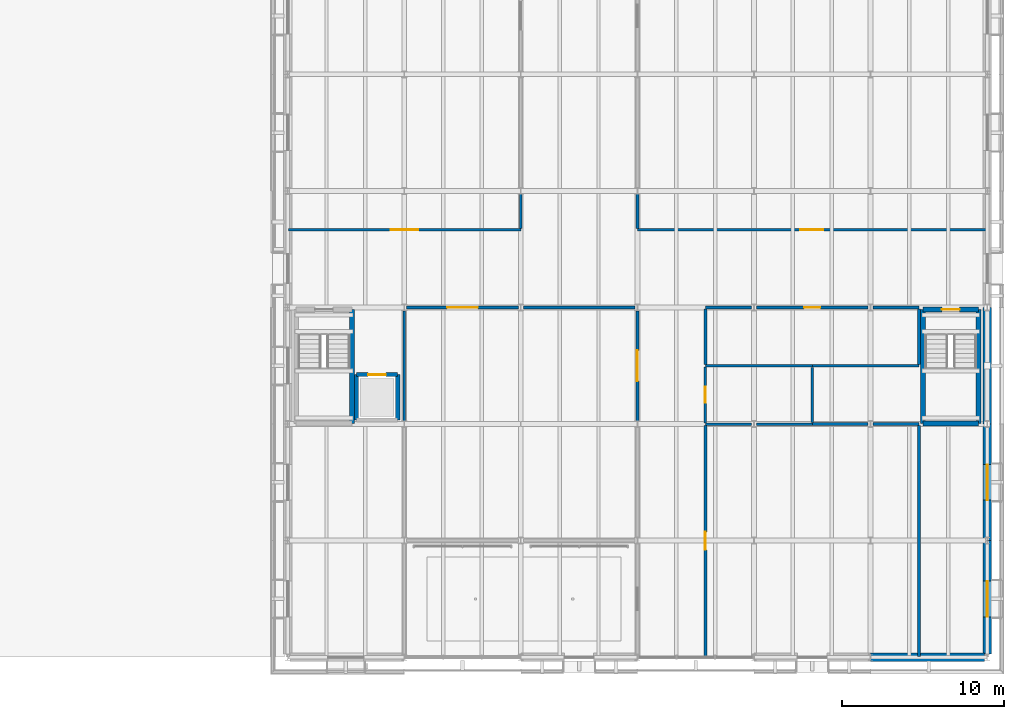
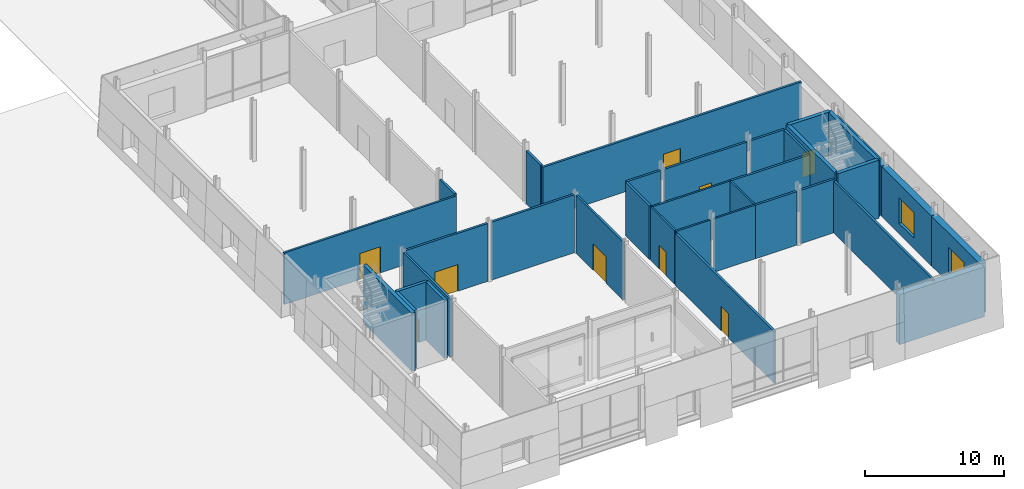
# One storey, part 79 of 120: 35 walls, 9 doors, 2 windows, 11 openings.
"""IFC4 building model written with IfcOpenShell, lengths in metres."""

from ifc_helpers import new_model, si_unit, direction, frame, frame_2d, origin, place, context, subcontext, project, spatial, rectangle, extrude, material, layer, layer_set, type_object, element, fill, save


model = new_model("IFC4")

# Units and contexts
model_context = context("Model", 3, precision=1e-05, world=origin(), true_north=direction((0.0, 1.0)))
body_context = subcontext(model_context, "Body", "Model", "MODEL_VIEW")
ifc_project = project(units=[si_unit("LENGTHUNIT", "METRE"), si_unit("AREAUNIT", "SQUARE_METRE"), si_unit("VOLUMEUNIT", "CUBIC_METRE"), si_unit("PLANEANGLEUNIT", "RADIAN"), si_unit("MASSUNIT", "GRAM", prefix="KILO")], contexts=[model_context])

# Site, building, storey
site_placement = place(None, origin())
site = spatial("IfcSite", under=ifc_project, at=site_placement, CompositionType="ELEMENT")
building_placement = place(site_placement, origin())
building = spatial("IfcBuilding", under=site, at=building_placement, Name="Narikvali Park Central Library", CompositionType="ELEMENT")
storey_placement = place(building_placement, origin())
storey = spatial("IfcBuildingStorey", under=building, at=storey_placement, Name="L00", CompositionType="ELEMENT", Elevation=0.0)

# Wall, opening, door
ifc_material_1 = material(Name="Acoustic Laminated Glass and Steel Studs", Category="steel")
ifc_layer_1 = layer(ifc_material_1, 0.169921875, Name="Acoustic Laminated Glass and Steel Studs")
ifc_layer_set_1 = layer_set([ifc_layer_1], Name="Acoustic Laminated Glass and Steel Studs")
wall_type_1 = type_object("IfcWallType", Name="Maker Space Glazed Acoustic Partition 170", PredefinedType="PARTITIONING", material=ifc_layer_set_1)
wall_1_placement = place(storey_placement, frame((122.455078125, 26.39990234375, 0.0), z_axis=(0.0, 0.0, 1.0), x_axis=(1.0, 0.0, 0.0)))
wall_1 = element("IfcWall", 1, at=wall_1_placement, inside=storey, type_object=wall_type_1, Name="Public Maker Space Fabrication Workshop Partition S", PredefinedType="PARTITIONING", context=body_context, shape_type="SweptSolid", body=[
    extrude(rectangle(XDim=14.344970703125, YDim=0.169921875, at=frame_2d((7.17236328125, 0.0))), origin(), (0.0, 0.0, 1.0), 4.554931640625),
])
opening_1_placement = place(wall_1_placement, frame((6.322509765625, 0.0, 0.0)))
opening_1 = element("IfcOpeningElement", 2, at=opening_1_placement, cuts=wall_1, Name="Opening ID-0152", PredefinedType="OPENING", context=body_context, shape_type="SweptSolid", body=[
    extrude(rectangle(XDim=1.699951171875, YDim=2.300048828125, at=frame_2d((0.85009765625, 1.14990234375))), frame((0.0, 0.096923828125, 0.0), z_axis=(0.0, -1.0, 0.0), x_axis=(1.0, 0.0, 0.0)), (0.0, 0.0, 1.0), 0.19384765625),
])
ifc_material_2 = material(Name="Anodised Aluminium and Laminated Glass", Category="aluminium")
door_type_1 = type_object("IfcDoorType", Name="Maker Workshop Double Door 1700x2300", OperationType="DOUBLE_DOOR_SINGLE_SWING", PredefinedType="DOOR", material=ifc_material_2)
door_1_placement = place(opening_1_placement, origin())
door_1 = element("IfcDoor", 3, at=door_1_placement, inside=storey, type_object=door_type_1, Name="Public Maker Space Fabrication Workshop Door ID-0152", OperationType="DOUBLE_DOOR_SINGLE_SWING", OverallHeight=2.300048828125, OverallWidth=1.699951171875, PredefinedType="DOOR", context=body_context, shape_type="SweptSolid", body=[
    extrude(rectangle(XDim=1.699951171875, YDim=2.300048828125, at=frame_2d((0.85009765625, 1.14990234375))), frame((0.0, 0.02490234375, 0.0), z_axis=(0.0, -1.0, 0.0), x_axis=(1.0, 0.0, 0.0)), (0.0, 0.0, 1.0), 0.050048828125),
])
fill(opening_1, door_1)

# Walls
wall_2_placement = place(storey_placement, frame((136.800048828125, 26.487060546875, 0.0), z_axis=(0.0, 0.0, 1.0), x_axis=(0.0, 1.0, 0.0)))
element("IfcWall", 4, at=wall_2_placement, inside=storey, type_object=wall_type_1, Name="Public Maker Space Fabrication Workshop Partition E", PredefinedType="PARTITIONING", context=body_context, shape_type="SweptSolid", body=[
    extrude(rectangle(XDim=2.10888671875, YDim=0.169921875, at=frame_2d((1.054443359375, 0.0))), origin(), (0.0, 0.0, 1.0), 4.6650390625),
])
ifc_material_3 = material(Name="Moisture-Resistant Cement Board on Steel Studs", Category="steel")
ifc_layer_2 = layer(ifc_material_3, 0.14990234375, Name="Moisture-Resistant Cement Board on Steel Studs")
ifc_layer_set_2 = layer_set([ifc_layer_2], Name="Moisture-Resistant Cement Board on Steel Studs")
wall_type_2 = type_object("IfcWallType", Name="Moisture-Resistant WC Partition 150", PredefinedType="PARTITIONING", material=ifc_layer_set_2)
wall_3_placement = place(storey_placement, frame((148.199951171875, 14.39990234375, 0.0), z_axis=(0.0, 0.0, 1.0), x_axis=(1.0, 0.0, 0.0)))
element("IfcWall", 5, at=wall_3_placement, inside=storey, type_object=wall_type_2, Name="Park Wing Accessible WC and Restrooms L00 Partition S", PredefinedType="PARTITIONING", context=body_context, shape_type="SweptSolid", body=[
    extrude(rectangle(XDim=2.845947265625, YDim=0.14990234375, at=frame_2d((1.4228515625, 0.0))), origin(), (0.0, 0.0, 1.0), 4.715087890625),
])
wall_4_placement = place(storey_placement, frame((151.35400390625, 14.39990234375, 0.0), z_axis=(0.0, 0.0, 1.0), x_axis=(1.0, 0.0, 0.0)))
element("IfcWall", 6, at=wall_4_placement, inside=storey, type_object=wall_type_2, Name="Park Wing Accessible WC and Restrooms L00 Partition S", PredefinedType="PARTITIONING", context=body_context, shape_type="SweptSolid", body=[
    extrude(rectangle(XDim=3.446044921875, YDim=0.14990234375, at=frame_2d((1.72314453125, 0.0))), origin(), (0.0, 0.0, 1.0), 4.715087890625),
])
wall_5_placement = place(storey_placement, frame((148.199951171875, 18.0, 0.0), z_axis=(0.0, 0.0, 1.0), x_axis=(1.0, 0.0, 0.0)))
element("IfcWall", 7, at=wall_5_placement, inside=storey, type_object=wall_type_2, Name="Park Wing Accessible WC and Restrooms L00 Partition N", PredefinedType="PARTITIONING", context=body_context, shape_type="SweptSolid", body=[
    extrude(rectangle(XDim=6.60009765625, YDim=0.14990234375, at=frame_2d((3.300048828125, 0.0))), origin(), (0.0, 0.0, 1.0), 4.6650390625),
])

# Wall, opening, door
wall_6_placement = place(storey_placement, frame((148.199951171875, 14.47705078125, 0.0), z_axis=(0.0, 0.0, 1.0), x_axis=(0.0, 1.0, 0.0)))
wall_6 = element("IfcWall", 8, at=wall_6_placement, inside=storey, type_object=wall_type_2, Name="Park Wing Accessible WC and Restrooms L00 Partition W", PredefinedType="PARTITIONING", context=body_context, shape_type="SweptSolid", body=[
    extrude(rectangle(XDim=3.446044921875, YDim=0.14990234375, at=frame_2d((1.72314453125, 0.0))), origin(), (0.0, 0.0, 1.0), 4.715087890625),
])
opening_2_placement = place(wall_6_placement, frame((1.23291015625, 0.0, 0.0)))
opening_2 = element("IfcOpeningElement", 9, at=opening_2_placement, cuts=wall_6, Name="Opening ID-0024", PredefinedType="OPENING", context=body_context, shape_type="SweptSolid", body=[
    extrude(rectangle(XDim=0.97998046875, YDim=2.10009765625, at=frame_2d((0.489990234375, 1.050048828125))), frame((0.0, 0.0869140625, 0.0), z_axis=(0.0, -1.0, 0.0), x_axis=(1.0, 0.0, 0.0)), (0.0, 0.0, 1.0), 0.173828125),
])
ifc_material_4 = material(Name="Laminate Faced Hardwood Core", Category="wood")
door_type_2 = type_object("IfcDoorType", Name="Accessible WC Outward-Opening Door 980x2100", OperationType="SINGLE_SWING_RIGHT", PredefinedType="DOOR", material=ifc_material_4)
door_2_placement = place(opening_2_placement, origin())
door_2 = element("IfcDoor", 10, at=door_2_placement, inside=storey, type_object=door_type_2, Name="Park Wing Accessible WC and Restrooms L00 Door ID-0024", OperationType="SINGLE_SWING_RIGHT", OverallHeight=2.10009765625, OverallWidth=0.97998046875, PredefinedType="DOOR", context=body_context, shape_type="SweptSolid", body=[
    extrude(rectangle(XDim=0.97998046875, YDim=2.10009765625, at=frame_2d((0.489990234375, 1.050048828125))), frame((0.0, 0.02490234375, 0.0), z_axis=(0.0, -1.0, 0.0), x_axis=(1.0, 0.0, 0.0)), (0.0, 0.0, 1.0), 0.050048828125),
])
fill(opening_2, door_2)

# Walls
wall_7_placement = place(storey_placement, frame((154.800048828125, 14.491943359375, 0.0), z_axis=(0.0, 0.0, 1.0), x_axis=(0.0, 1.0, 0.0)))
element("IfcWall", 11, at=wall_7_placement, inside=storey, type_object=wall_type_2, Name="Park Wing Accessible WC and Restrooms L00 Partition E", PredefinedType="PARTITIONING", context=body_context, shape_type="SweptSolid", body=[
    extrude(rectangle(XDim=3.416015625, YDim=0.14990234375, at=frame_2d((1.7080078125, 0.0))), origin(), (0.0, 0.0, 1.0), 4.715087890625),
])
ifc_material_5 = material(Name="Acoustic Gypsum on Steel Studs", Category="steel")
ifc_layer_3 = layer(ifc_material_5, 0.179931640625, Name="Acoustic Gypsum on Steel Studs")
ifc_layer_set_3 = layer_set([ifc_layer_3], Name="Acoustic Gypsum on Steel Studs")
wall_type_3 = type_object("IfcWallType", Name="Reading Room Acoustic Partition 180", PredefinedType="PARTITIONING", material=ifc_layer_set_3)
wall_8_placement = place(storey_placement, frame((154.802001953125, 18.0, 0.0), z_axis=(0.0, 0.0, 1.0), x_axis=(1.0, 0.0, 0.0)))
element("IfcWall", 12, at=wall_8_placement, inside=storey, type_object=wall_type_3, Name="Civic Seminar Chair and AV Store Partition S", PredefinedType="PARTITIONING", context=body_context, shape_type="SweptSolid", body=[
    extrude(rectangle(XDim=6.597900390625, YDim=0.179931640625, at=frame_2d((3.298828125, 0.0))), origin(), (0.0, 0.0, 1.0), 4.6650390625),
])
wall_9_placement = place(storey_placement, frame((148.199951171875, 21.60009765625, 0.0), z_axis=(0.0, 0.0, 1.0), x_axis=(1.0, 0.0, 0.0)))
element("IfcWall", 13, at=wall_9_placement, inside=storey, type_object=wall_type_3, Name="Civic Seminar Chair and AV Store Partition N", PredefinedType="PARTITIONING", context=body_context, shape_type="SweptSolid", body=[
    extrude(rectangle(XDim=2.845947265625, YDim=0.179931640625, at=frame_2d((1.4228515625, 0.0))), origin(), (0.0, 0.0, 1.0), 4.715087890625),
])

# Wall, opening, door
wall_10_placement = place(storey_placement, frame((151.35400390625, 21.60009765625, 0.0), z_axis=(0.0, 0.0, 1.0), x_axis=(1.0, 0.0, 0.0)))
wall_10 = element("IfcWall", 14, at=wall_10_placement, inside=storey, type_object=wall_type_3, Name="Civic Seminar Chair and AV Store Partition N", PredefinedType="PARTITIONING", context=body_context, shape_type="SweptSolid", body=[
    extrude(rectangle(XDim=6.89208984375, YDim=0.179931640625, at=frame_2d((3.446044921875, 0.0))), origin(), (0.0, 0.0, 1.0), 4.715087890625),
])
opening_3_placement = place(wall_10_placement, frame((2.946044921875, 0.0, 0.0)))
opening_3 = element("IfcOpeningElement", 15, at=opening_3_placement, cuts=wall_10, Name="Opening ID-0145", PredefinedType="OPENING", context=body_context, shape_type="SweptSolid", body=[
    extrude(rectangle(XDim=1.0, YDim=2.14990234375, at=frame_2d((0.5, 1.074951171875))), frame((0.0, 0.10205078125, 0.0), z_axis=(0.0, -1.0, 0.0), x_axis=(1.0, 0.0, 0.0)), (0.0, 0.0, 1.0), 0.203857421875),
])
ifc_material_6 = material(Name="Solid Caucasian Oak")
door_type_3 = type_object("IfcDoorType", Name="Study Room Single Oak Door 1000x2150", OperationType="SINGLE_SWING_LEFT", PredefinedType="DOOR", material=ifc_material_6)
door_3_placement = place(opening_3_placement, frame((1.0, 0.0, 0.0), z_axis=(0.0, 0.0, 1.0), x_axis=(-1.0, 0.0, 0.0)))
door_3 = element("IfcDoor", 16, at=door_3_placement, inside=storey, type_object=door_type_3, Name="Civic Seminar Chair and AV Store Door ID-0145", OperationType="SINGLE_SWING_LEFT", OverallHeight=2.14990234375, OverallWidth=1.0, PredefinedType="DOOR", context=body_context, shape_type="SweptSolid", body=[
    extrude(rectangle(XDim=1.0, YDim=2.14990234375, at=frame_2d((0.5, 1.074951171875))), frame((0.0, 0.02490234375, 0.0), z_axis=(0.0, -1.0, 0.0), x_axis=(1.0, 0.0, 0.0)), (0.0, 0.0, 1.0), 0.050048828125),
])
fill(opening_3, door_3)

# Wall
wall_11_placement = place(storey_placement, frame((158.553955078125, 21.60009765625, 0.0), z_axis=(0.0, 0.0, 1.0), x_axis=(1.0, 0.0, 0.0)))
element("IfcWall", 17, at=wall_11_placement, inside=storey, type_object=wall_type_3, Name="Civic Seminar Chair and AV Store Partition N", PredefinedType="PARTITIONING", context=body_context, shape_type="SweptSolid", body=[
    extrude(rectangle(XDim=2.845947265625, YDim=0.179931640625, at=frame_2d((1.4228515625, 0.0))), origin(), (0.0, 0.0, 1.0), 4.715087890625),
])

# Wall, opening, door
wall_12_placement = place(storey_placement, frame((144.0, 26.39990234375, 0.0), z_axis=(0.0, 0.0, 1.0), x_axis=(1.0, 0.0, 0.0)))
wall_12 = element("IfcWall", 18, at=wall_12_placement, inside=storey, type_object=wall_type_3, Name="Civic Community Meeting Room A Partition S", PredefinedType="PARTITIONING", context=body_context, shape_type="SweptSolid", body=[
    extrude(rectangle(XDim=21.544921875, YDim=0.179931640625, at=frame_2d((10.7724609375, 0.0))), origin(), (0.0, 0.0, 1.0), 4.554931640625),
])
opening_4_placement = place(wall_12_placement, frame((10.072509765625, 0.0, 0.0)))
opening_4 = element("IfcOpeningElement", 19, at=opening_4_placement, cuts=wall_12, Name="Opening ID-0147", PredefinedType="OPENING", context=body_context, shape_type="SweptSolid", body=[
    extrude(rectangle(XDim=1.39990234375, YDim=2.199951171875, at=frame_2d((0.699951171875, 1.10009765625))), frame((0.0, 0.10205078125, 0.0), z_axis=(0.0, -1.0, 0.0), x_axis=(1.0, 0.0, 0.0)), (0.0, 0.0, 1.0), 0.203857421875),
])
ifc_material_7 = material(Name="Caucasian Oak and Acoustic Glass", Category="glass")
door_type_4 = type_object("IfcDoorType", Name="Community Room Glazed Oak Door 1400x2200", OperationType="DOUBLE_DOOR_SINGLE_SWING", PredefinedType="DOOR", material=ifc_material_7)
door_4_placement = place(opening_4_placement, origin())
door_4 = element("IfcDoor", 20, at=door_4_placement, inside=storey, type_object=door_type_4, Name="Civic Community Meeting Room A Door ID-0147", OperationType="DOUBLE_DOOR_SINGLE_SWING", OverallHeight=2.199951171875, OverallWidth=1.39990234375, PredefinedType="DOOR", context=body_context, shape_type="SweptSolid", body=[
    extrude(rectangle(XDim=1.39990234375, YDim=2.199951171875, at=frame_2d((0.699951171875, 1.10009765625))), frame((0.0, 0.02490234375, 0.0), z_axis=(0.0, -1.0, 0.0), x_axis=(1.0, 0.0, 0.0)), (0.0, 0.0, 1.0), 0.050048828125),
])
fill(opening_4, door_4)

# Walls
wall_13_placement = place(storey_placement, frame((154.802001953125, 14.39990234375, 0.0), z_axis=(0.0, 0.0, 1.0), x_axis=(1.0, 0.0, 0.0)))
element("IfcWall", 21, at=wall_13_placement, inside=storey, type_object=wall_type_3, Name="Cafe Servery and Kitchen Partition N", PredefinedType="PARTITIONING", context=body_context, shape_type="SweptSolid", body=[
    extrude(rectangle(XDim=3.444091796875, YDim=0.179931640625, at=frame_2d((1.72216796875, 0.0))), origin(), (0.0, 0.0, 1.0), 4.715087890625),
])
wall_14_placement = place(storey_placement, frame((158.553955078125, 14.39990234375, 0.0), z_axis=(0.0, 0.0, 1.0), x_axis=(1.0, 0.0, 0.0)))
element("IfcWall", 22, at=wall_14_placement, inside=storey, type_object=wall_type_3, Name="Cafe Servery and Kitchen Partition N", PredefinedType="PARTITIONING", context=body_context, shape_type="SweptSolid", body=[
    extrude(rectangle(XDim=2.845947265625, YDim=0.179931640625, at=frame_2d((1.4228515625, 0.0))), origin(), (0.0, 0.0, 1.0), 4.715087890625),
])

# Wall, opening, door
wall_15_placement = place(storey_placement, frame((129.75390625, 21.60009765625, 0.0), z_axis=(0.0, 0.0, 1.0), x_axis=(1.0, 0.0, 0.0)))
wall_15 = element("IfcWall", 23, at=wall_15_placement, inside=storey, type_object=wall_type_3, Name="Civic Lecture Hall Partition N", PredefinedType="PARTITIONING", context=body_context, shape_type="SweptSolid", body=[
    extrude(rectangle(XDim=6.89208984375, YDim=0.179931640625, at=frame_2d((3.446044921875, 0.0))), origin(), (0.0, 0.0, 1.0), 5.10498046875),
])
opening_5_placement = place(wall_15_placement, frame((2.49609375, 0.0, 0.0)))
opening_5 = element("IfcOpeningElement", 24, at=opening_5_placement, cuts=wall_15, Name="Opening ID-0150", PredefinedType="OPENING", context=body_context, shape_type="SweptSolid", body=[
    extrude(rectangle(XDim=1.89990234375, YDim=2.35009765625, at=frame_2d((0.949951171875, 1.175048828125))), frame((0.0, 0.10205078125, 0.0), z_axis=(0.0, -1.0, 0.0), x_axis=(1.0, 0.0, 0.0)), (0.0, 0.0, 1.0), 0.203857421875),
])
ifc_material_8 = material(Name="Solid Caucasian Oak Acoustic Leaf")
door_type_5 = type_object("IfcDoorType", Name="Lecture Hall Double Acoustic Door 1900x2350", OperationType="DOUBLE_DOOR_SINGLE_SWING", PredefinedType="DOOR", material=ifc_material_8)
door_5_placement = place(opening_5_placement, origin())
door_5 = element("IfcDoor", 25, at=door_5_placement, inside=storey, type_object=door_type_5, Name="Civic Lecture Hall Door ID-0150", OperationType="DOUBLE_DOOR_SINGLE_SWING", OverallHeight=2.35009765625, OverallWidth=1.89990234375, PredefinedType="DOOR", context=body_context, shape_type="SweptSolid", body=[
    extrude(rectangle(XDim=1.89990234375, YDim=2.35009765625, at=frame_2d((0.949951171875, 1.175048828125))), frame((0.0, 0.02490234375, 0.0), z_axis=(0.0, -1.0, 0.0), x_axis=(1.0, 0.0, 0.0)), (0.0, 0.0, 1.0), 0.050048828125),
])
fill(opening_5, door_5)

# Walls
wall_16_placement = place(storey_placement, frame((136.9541015625, 21.60009765625, 0.0), z_axis=(0.0, 0.0, 1.0), x_axis=(1.0, 0.0, 0.0)))
element("IfcWall", 26, at=wall_16_placement, inside=storey, type_object=wall_type_3, Name="Civic Lecture Hall Partition N", PredefinedType="PARTITIONING", context=body_context, shape_type="SweptSolid", body=[
    extrude(rectangle(XDim=6.891845703125, YDim=0.179931640625, at=frame_2d((3.44580078125, 0.0))), origin(), (0.0, 0.0, 1.0), 5.10498046875),
])
wall_17_placement = place(storey_placement, frame((148.199951171875, 18.076904296875, 0.0), z_axis=(0.0, 0.0, 1.0), x_axis=(0.0, 1.0, 0.0)))
element("IfcWall", 27, at=wall_17_placement, inside=storey, type_object=wall_type_3, Name="Civic Seminar Chair and AV Store Partition W", PredefinedType="PARTITIONING", context=body_context, shape_type="SweptSolid", body=[
    extrude(rectangle(XDim=3.43115234375, YDim=0.179931640625, at=frame_2d((1.715576171875, 0.0))), origin(), (0.0, 0.0, 1.0), 4.715087890625),
])
wall_18_placement = place(storey_placement, frame((161.39990234375, 18.092041015625, 0.0), z_axis=(0.0, 0.0, 1.0), x_axis=(0.0, 1.0, 0.0)))
element("IfcWall", 28, at=wall_18_placement, inside=storey, type_object=wall_type_3, Name="Civic Seminar Chair and AV Store Partition E", PredefinedType="PARTITIONING", context=body_context, shape_type="SweptSolid", body=[
    extrude(rectangle(XDim=3.416015625, YDim=0.179931640625, at=frame_2d((1.7080078125, 0.0))), origin(), (0.0, 0.0, 1.0), 4.715087890625),
])
wall_19_placement = place(storey_placement, frame((144.0, 26.491943359375, 0.0), z_axis=(0.0, 0.0, 1.0), x_axis=(0.0, 1.0, 0.0)))
element("IfcWall", 29, at=wall_19_placement, inside=storey, type_object=wall_type_3, Name="Civic Community Meeting Room A Partition W", PredefinedType="PARTITIONING", context=body_context, shape_type="SweptSolid", body=[
    extrude(rectangle(XDim=2.10400390625, YDim=0.179931640625, at=frame_2d((1.052001953125, 0.0))), origin(), (0.0, 0.0, 1.0), 4.6650390625),
])

# Wall, opening, door
wall_20_placement = place(storey_placement, frame((148.199951171875, 0.054931640625, 0.0), z_axis=(0.0, 0.0, 1.0), x_axis=(0.0, 1.0, 0.0)))
wall_20 = element("IfcWall", 30, at=wall_20_placement, inside=storey, type_object=wall_type_3, Name="Cafe Servery and Kitchen Partition W", PredefinedType="PARTITIONING", context=body_context, shape_type="SweptSolid", body=[
    extrude(rectangle(XDim=14.26806640625, YDim=0.179931640625, at=frame_2d((7.134033203125, 0.0))), origin(), (0.0, 0.0, 1.0), 4.554931640625),
])
opening_6_placement = place(wall_20_placement, frame((6.573974609375, 0.0, 0.0)))
opening_6 = element("IfcOpeningElement", 31, at=opening_6_placement, cuts=wall_20, Name="Opening ID-0149", PredefinedType="OPENING", context=body_context, shape_type="SweptSolid", body=[
    extrude(rectangle(XDim=1.1201171875, YDim=2.14990234375, at=frame_2d((0.56005859375, 1.074951171875))), frame((0.0, 0.10205078125, 0.0), z_axis=(0.0, -1.0, 0.0), x_axis=(1.0, 0.0, 0.0)), (0.0, 0.0, 1.0), 0.203857421875),
])
ifc_material_9 = material(Name="Brushed Stainless Steel Faced Fire Leaf", Category="steel")
door_type_6 = type_object("IfcDoorType", Name="Cafe Kitchen Service Fire Door 1120x2150", OperationType="SINGLE_SWING_LEFT", PredefinedType="DOOR", material=ifc_material_9)
door_6_placement = place(opening_6_placement, frame((1.1201171875, 0.0, 0.0), z_axis=(0.0, 0.0, 1.0), x_axis=(-1.0, 0.0, 0.0)))
door_6 = element("IfcDoor", 32, at=door_6_placement, inside=storey, type_object=door_type_6, Name="Cafe Servery and Kitchen Door ID-0149", OperationType="SINGLE_SWING_LEFT", OverallHeight=2.14990234375, OverallWidth=1.1201171875, PredefinedType="DOOR", context=body_context, shape_type="SweptSolid", body=[
    extrude(rectangle(XDim=1.1201171875, YDim=2.14990234375, at=frame_2d((0.56005859375, 1.074951171875))), frame((0.0, 0.02490234375, 0.0), z_axis=(0.0, -1.0, 0.0), x_axis=(1.0, 0.0, 0.0)), (0.0, 0.0, 1.0), 0.050048828125),
])
fill(opening_6, door_6)

# Walls
wall_21_placement = place(storey_placement, frame((161.39990234375, 0.054931640625, 0.0), z_axis=(0.0, 0.0, 1.0), x_axis=(0.0, 1.0, 0.0)))
element("IfcWall", 33, at=wall_21_placement, inside=storey, type_object=wall_type_3, Name="Cafe Servery and Kitchen Partition E", PredefinedType="PARTITIONING", context=body_context, shape_type="SweptSolid", body=[
    extrude(rectangle(XDim=14.253173828125, YDim=0.179931640625, at=frame_2d((7.12646484375, 0.0))), origin(), (0.0, 0.0, 1.0), 4.554931640625),
])
wall_22_placement = place(storey_placement, frame((129.60009765625, 14.60400390625, 0.0), z_axis=(0.0, 0.0, 1.0), x_axis=(0.0, 1.0, 0.0)))
element("IfcWall", 34, at=wall_22_placement, inside=storey, type_object=wall_type_3, Name="Civic Lecture Hall Partition W", PredefinedType="PARTITIONING", context=body_context, shape_type="SweptSolid", body=[
    extrude(rectangle(XDim=6.7919921875, YDim=0.179931640625, at=frame_2d((3.39599609375, 0.0))), origin(), (0.0, 0.0, 1.0), 5.10498046875),
])

# Wall, opening, door
wall_23_placement = place(storey_placement, frame((144.0, 14.60400390625, 0.0), z_axis=(0.0, 0.0, 1.0), x_axis=(0.0, 1.0, 0.0)))
wall_23 = element("IfcWall", 35, at=wall_23_placement, inside=storey, type_object=wall_type_3, Name="Civic Lecture Hall Partition E", PredefinedType="PARTITIONING", context=body_context, shape_type="SweptSolid", body=[
    extrude(rectangle(XDim=6.7919921875, YDim=0.179931640625, at=frame_2d((3.39599609375, 0.0))), origin(), (0.0, 0.0, 1.0), 5.10498046875),
])
opening_7_placement = place(wall_23_placement, frame((2.446044921875, 0.0, 0.0)))
opening_7 = element("IfcOpeningElement", 36, at=opening_7_placement, cuts=wall_23, Name="Opening ID-0151", PredefinedType="OPENING", context=body_context, shape_type="SweptSolid", body=[
    extrude(rectangle(XDim=1.89990234375, YDim=2.35009765625, at=frame_2d((0.949951171875, 1.175048828125))), frame((0.0, 0.10205078125, 0.0), z_axis=(0.0, -1.0, 0.0), x_axis=(1.0, 0.0, 0.0)), (0.0, 0.0, 1.0), 0.203857421875),
])
door_7_placement = place(opening_7_placement, frame((1.89990234375, 0.0, 0.0), z_axis=(0.0, 0.0, 1.0), x_axis=(-1.0, 0.0, 0.0)))
door_7 = element("IfcDoor", 37, at=door_7_placement, inside=storey, type_object=door_type_5, Name="Civic Lecture Hall Door ID-0151", OperationType="DOUBLE_DOOR_SINGLE_SWING", OverallHeight=2.35009765625, OverallWidth=1.89990234375, PredefinedType="DOOR", context=body_context, shape_type="SweptSolid", body=[
    extrude(rectangle(XDim=1.89990234375, YDim=2.35009765625, at=frame_2d((0.949951171875, 1.175048828125))), frame((0.0, 0.02490234375, 0.0), z_axis=(0.0, -1.0, 0.0), x_axis=(1.0, 0.0, 0.0)), (0.0, 0.0, 1.0), 0.050048828125),
])
fill(opening_7, door_7)

# Wall
ifc_material_10 = material(Name="Concrete C40/50", Category="concrete")
ifc_layer_4 = layer(ifc_material_10, 0.25, Name="Concrete C40/50")
ifc_layer_set_4 = layer_set([ifc_layer_4], Name="Concrete C40/50")
wall_type_4 = type_object("IfcWallType", Name="Reinforced Concrete Lift Shaft Wall 250", PredefinedType="SHEAR", material=ifc_layer_set_4)
wall_24_placement = place(storey_placement, frame((129.199951171875, 14.64990234375, 0.0), z_axis=(0.0, 0.0, 1.0), x_axis=(0.0, 1.0, 0.0)))
element("IfcWall", 38, at=wall_24_placement, inside=storey, type_object=wall_type_4, Name="L-07 L00 Lift Shaft Wall E", PredefinedType="SHEAR", context=body_context, shape_type="SweptSolid", body=[
    extrude(rectangle(XDim=2.800048828125, YDim=0.25, at=frame_2d((1.39990234375, 0.0))), origin(), (0.0, 0.0, 1.0), 5.1201171875),
])

# Wall, opening, door
wall_25_placement = place(storey_placement, frame((129.199951171875, 17.449951171875, 0.0), z_axis=(0.0, 0.0, 1.0), x_axis=(-1.0, 0.0, 0.0)))
wall_25 = element("IfcWall", 39, at=wall_25_placement, inside=storey, type_object=wall_type_4, Name="L-07 L00 Lift Shaft Wall N", PredefinedType="SHEAR", context=body_context, shape_type="SweptSolid", body=[
    extrude(rectangle(XDim=2.550048828125, YDim=0.25, at=frame_2d((1.27490234375, 0.0))), origin(), (0.0, 0.0, 1.0), 5.1201171875),
])
opening_8_placement = place(wall_25_placement, frame((0.72509765625, 0.0, 0.0)))
opening_8 = element("IfcOpeningElement", 40, at=opening_8_placement, cuts=wall_25, Name="Opening LD-049", PredefinedType="OPENING", context=body_context, shape_type="SweptSolid", body=[
    extrude(rectangle(XDim=1.10009765625, YDim=2.10009765625, at=frame_2d((0.550048828125, 1.050048828125))), frame((0.0, 0.136962890625, 0.0), z_axis=(0.0, -1.0, 0.0), x_axis=(1.0, 0.0, 0.0)), (0.0, 0.0, 1.0), 0.27392578125),
])
ifc_material_11 = material(Name="Brushed Stainless Steel S355", Category="steel")
door_type_7 = type_object("IfcDoorType", Name="Passenger Lift Sliding Landing Door 1100x2100", OperationType="SLIDING_TO_LEFT", PredefinedType="DOOR", material=ifc_material_11)
door_8_placement = place(opening_8_placement, origin())
door_8 = element("IfcDoor", 41, at=door_8_placement, inside=storey, type_object=door_type_7, Name="L-07 L00 Lift Landing Sliding Door LD-049", OperationType="SLIDING_TO_LEFT", OverallHeight=2.10009765625, OverallWidth=1.10009765625, PredefinedType="DOOR", context=body_context, shape_type="SweptSolid", body=[
    extrude(rectangle(XDim=1.10009765625, YDim=2.10009765625, at=frame_2d((0.550048828125, 1.050048828125))), frame((0.0, 0.02490234375, 0.0), z_axis=(0.0, -1.0, 0.0), x_axis=(1.0, 0.0, 0.0)), (0.0, 0.0, 1.0), 0.050048828125),
])
fill(opening_8, door_8)

# Walls
wall_26_placement = place(storey_placement, frame((126.64990234375, 17.449951171875, 0.0), z_axis=(0.0, 0.0, 1.0), x_axis=(0.0, -1.0, 0.0)))
element("IfcWall", 42, at=wall_26_placement, inside=storey, type_object=wall_type_4, Name="L-07 L00 Lift Shaft Wall W", PredefinedType="SHEAR", context=body_context, shape_type="SweptSolid", body=[
    extrude(rectangle(XDim=2.800048828125, YDim=0.25, at=frame_2d((1.39990234375, 0.0))), origin(), (0.0, 0.0, 1.0), 5.1201171875),
])
ifc_layer_5 = layer(ifc_material_10, 0.300048828125, Name="Concrete C40/50")
ifc_layer_set_5 = layer_set([ifc_layer_5], Name="Concrete C40/50")
wall_type_5 = type_object("IfcWallType", Name="Reinforced Concrete Shear Wall 300", PredefinedType="SHEAR", material=ifc_layer_set_5)
wall_27_placement = place(storey_placement, frame((126.3701171875, 14.429931640625, 0.0), z_axis=(0.0, 0.0, 1.0), x_axis=(0.0, 1.0, 0.0)))
element("IfcWall", 43, at=wall_27_placement, inside=storey, type_object=wall_type_5, Name="C6A L00 Stair Core Shear Wall E", PredefinedType="SHEAR", context=body_context, shape_type="SweptSolid", body=[
    extrude(rectangle(XDim=7.0400390625, YDim=0.300048828125, at=frame_2d((3.52001953125, 0.0))), origin(), (0.0, 0.0, 1.0), 5.1201171875),
])
wall_28_placement = place(storey_placement, frame((161.6298828125, 14.429931640625, 0.0), z_axis=(0.0, 0.0, 1.0), x_axis=(1.0, 0.0, 0.0)))
element("IfcWall", 44, at=wall_28_placement, inside=storey, type_object=wall_type_5, Name="C6B L00 Stair Core Shear Wall S", PredefinedType="SHEAR", context=body_context, shape_type="SweptSolid", body=[
    extrude(rectangle(XDim=3.440185546875, YDim=0.300048828125, at=frame_2d((1.72021484375, 0.0))), origin(), (0.0, 0.0, 1.0), 5.1201171875),
])
wall_29_placement = place(storey_placement, frame((165.070068359375, 14.429931640625, 0.0), z_axis=(0.0, 0.0, 1.0), x_axis=(0.0, 1.0, 0.0)))
element("IfcWall", 45, at=wall_29_placement, inside=storey, type_object=wall_type_5, Name="C6B L00 Stair Core Shear Wall E", PredefinedType="SHEAR", context=body_context, shape_type="SweptSolid", body=[
    extrude(rectangle(XDim=7.0400390625, YDim=0.300048828125, at=frame_2d((3.52001953125, 0.0))), origin(), (0.0, 0.0, 1.0), 5.1201171875),
])

# Wall, opening, door
wall_30_placement = place(storey_placement, frame((165.070068359375, 21.469970703125, 0.0), z_axis=(0.0, 0.0, 1.0), x_axis=(-1.0, 0.0, 0.0)))
wall_30 = element("IfcWall", 46, at=wall_30_placement, inside=storey, type_object=wall_type_5, Name="C6B L00 Stair Core Shear Wall N", PredefinedType="SHEAR", context=body_context, shape_type="SweptSolid", body=[
    extrude(rectangle(XDim=3.440185546875, YDim=0.300048828125, at=frame_2d((1.72021484375, 0.0))), origin(), (0.0, 0.0, 1.0), 5.1201171875),
])
opening_9_placement = place(wall_30_placement, frame((1.169921875, 0.0, 0.0)))
opening_9 = element("IfcOpeningElement", 47, at=opening_9_placement, cuts=wall_30, Name="Opening SD-063", PredefinedType="OPENING", context=body_context, shape_type="SweptSolid", body=[
    extrude(rectangle(XDim=1.10009765625, YDim=2.14990234375, at=frame_2d((0.550048828125, 1.074951171875))), frame((0.0, 0.162109375, 0.0), z_axis=(0.0, -1.0, 0.0), x_axis=(1.0, 0.0, 0.0)), (0.0, 0.0, 1.0), 0.323974609375),
])
ifc_material_12 = material(Name="Powder-Coated Steel S275 Fire Leaf", Category="steel")
door_type_8 = type_object("IfcDoorType", Name="Stair Core Smoke-Control Fire Door 1100x2150", OperationType="SINGLE_SWING_LEFT", PredefinedType="DOOR", material=ifc_material_12)
door_9_placement = place(opening_9_placement, frame((1.10009765625, 0.0, 0.0), z_axis=(0.0, 0.0, 1.0), x_axis=(-1.0, 0.0, 0.0)))
door_9 = element("IfcDoor", 48, at=door_9_placement, inside=storey, type_object=door_type_8, Name="ST-12 L00 Stair Exit Door SD-063", OperationType="SINGLE_SWING_LEFT", OverallHeight=2.14990234375, OverallWidth=1.10009765625, PredefinedType="DOOR", context=body_context, shape_type="SweptSolid", body=[
    extrude(rectangle(XDim=1.10009765625, YDim=2.14990234375, at=frame_2d((0.550048828125, 1.074951171875))), frame((0.0, 0.02490234375, 0.0), z_axis=(0.0, -1.0, 0.0), x_axis=(1.0, 0.0, 0.0)), (0.0, 0.0, 1.0), 0.050048828125),
])
fill(opening_9, door_9)

# Walls
wall_31_placement = place(storey_placement, frame((161.6298828125, 21.469970703125, 0.0), z_axis=(0.0, 0.0, 1.0), x_axis=(0.0, -1.0, 0.0)))
element("IfcWall", 49, at=wall_31_placement, inside=storey, type_object=wall_type_5, Name="C6B L00 Stair Core Shear Wall W", PredefinedType="SHEAR", context=body_context, shape_type="SweptSolid", body=[
    extrude(rectangle(XDim=7.0400390625, YDim=0.300048828125, at=frame_2d((3.52001953125, 0.0))), origin(), (0.0, 0.0, 1.0), 5.1201171875),
])
ifc_material_13 = material(Name="White Rusticated Limestone over Concrete C35/45", Category="masonry")
ifc_layer_6 = layer(ifc_material_13, 0.52001953125, Name="White Rusticated Limestone over Concrete C35/45")
ifc_layer_set_6 = layer_set([ifc_layer_6], Name="White Rusticated Limestone over Concrete C35/45")
wall_type_6 = type_object("IfcWallType", Name="White Limestone Ashlar Plinth Wall 520", PredefinedType="SOLIDWALL", material=ifc_layer_set_6)
wall_32_placement = place(storey_placement, frame((158.39990234375, 0.0, 0.0), z_axis=(0.0, 0.0, 1.0), x_axis=(1.0, 0.0, 0.0)))
element("IfcWall", 50, at=wall_32_placement, inside=storey, type_object=wall_type_6, Name="V6 L00 S Exterior Limestone Wall B06", PredefinedType="SOLIDWALL", context=body_context, shape_type="SweptSolid", body=[
    extrude(rectangle(XDim=7.046142578125, YDim=0.52001953125, at=frame_2d((3.52294921875, 0.0))), origin(), (0.0, 0.0, 1.0), 4.39990234375),
])

# Wall, opening, window
wall_33_placement = place(storey_placement, frame((165.60009765625, 0.2041015625, 0.0), z_axis=(0.0, 0.0, 1.0), x_axis=(0.0, 1.0, 0.0)))
wall_33 = element("IfcWall", 51, at=wall_33_placement, inside=storey, type_object=wall_type_6, Name="V6 L00 E Exterior Limestone Wall B01", PredefinedType="SOLIDWALL", context=body_context, shape_type="SweptSolid", body=[
    extrude(rectangle(XDim=6.995849609375, YDim=0.52001953125, at=frame_2d((3.498046875, 0.0))), origin(), (0.0, 0.0, 1.0), 4.39990234375),
])
opening_10_placement = place(wall_33_placement, frame((2.2958984375, 0.0, 0.89990234375)))
opening_10 = element("IfcOpeningElement", 52, at=opening_10_placement, cuts=wall_33, Name="Opening WIN-0348", PredefinedType="OPENING", context=body_context, shape_type="SweptSolid", body=[
    extrude(rectangle(XDim=2.199951171875, YDim=2.25, at=frame_2d((1.10009765625, 1.125))), frame((0.0, 0.27197265625, 0.0), z_axis=(0.0, -1.0, 0.0), x_axis=(1.0, 0.0, 0.0)), (0.0, 0.0, 1.0), 0.5439453125),
])
ifc_material_14 = material(Name="Anodised Bronze Aluminium and Low-E Triple Glazing", Category="aluminium")
window_type = type_object("IfcWindowType", Name="Community & Fine Arts Studio Window 2200x2250", PartitioningType="TRIPLE_PANEL_VERTICAL", PredefinedType="WINDOW", material=ifc_material_14)
window_1_placement = place(opening_10_placement, origin())
window_1 = element("IfcWindow", 53, at=window_1_placement, inside=storey, type_object=window_type, Name="V6 L00 E Deep-Reveal Window WIN-0348", OverallHeight=2.25, OverallWidth=2.199951171875, PartitioningType="SINGLE_PANEL", PredefinedType="WINDOW", context=body_context, shape_type="SweptSolid", body=[
    extrude(rectangle(XDim=2.199951171875, YDim=2.25, at=frame_2d((1.10009765625, 1.125))), frame((0.0, 0.030029296875, 0.0), z_axis=(0.0, -1.0, 0.0), x_axis=(1.0, 0.0, 0.0)), (0.0, 0.0, 1.0), 0.06005859375),
])
fill(opening_10, window_1)

wall_34_placement = place(storey_placement, frame((165.60009765625, 7.199951171875, 0.0), z_axis=(0.0, 0.0, 1.0), x_axis=(0.0, 1.0, 0.0)))
wall_34 = element("IfcWall", 54, at=wall_34_placement, inside=storey, type_object=wall_type_6, Name="V6 L00 E Exterior Limestone Wall B02", PredefinedType="SOLIDWALL", context=body_context, shape_type="SweptSolid", body=[
    extrude(rectangle(XDim=7.199951171875, YDim=0.52001953125, at=frame_2d((3.60009765625, 0.0))), origin(), (0.0, 0.0, 1.0), 4.39990234375),
])
opening_11_placement = place(wall_34_placement, frame((2.5, 0.0, 0.89990234375)))
opening_11 = element("IfcOpeningElement", 55, at=opening_11_placement, cuts=wall_34, Name="Opening WIN-0349", PredefinedType="OPENING", context=body_context, shape_type="SweptSolid", body=[
    extrude(rectangle(XDim=2.199951171875, YDim=2.25, at=frame_2d((1.10009765625, 1.125))), frame((0.0, 0.27197265625, 0.0), z_axis=(0.0, -1.0, 0.0), x_axis=(1.0, 0.0, 0.0)), (0.0, 0.0, 1.0), 0.5439453125),
])
window_2_placement = place(opening_11_placement, origin())
window_2 = element("IfcWindow", 56, at=window_2_placement, inside=storey, type_object=window_type, Name="V6 L00 E Deep-Reveal Window WIN-0349", OverallHeight=2.25, OverallWidth=2.199951171875, PartitioningType="SINGLE_PANEL", PredefinedType="WINDOW", context=body_context, shape_type="SweptSolid", body=[
    extrude(rectangle(XDim=2.199951171875, YDim=2.25, at=frame_2d((1.10009765625, 1.125))), frame((0.0, 0.030029296875, 0.0), z_axis=(0.0, -1.0, 0.0), x_axis=(1.0, 0.0, 0.0)), (0.0, 0.0, 1.0), 0.06005859375),
])
fill(opening_11, window_2)

# Wall
wall_35_placement = place(storey_placement, frame((165.60009765625, 14.39990234375, 0.0), z_axis=(0.0, 0.0, 1.0), x_axis=(0.0, 1.0, 0.0)))
element("IfcWall", 57, at=wall_35_placement, inside=storey, type_object=wall_type_6, Name="V6 L00 E Exterior Limestone Wall B03", PredefinedType="SOLIDWALL", context=body_context, shape_type="SweptSolid", body=[
    extrude(rectangle(XDim=7.2001953125, YDim=0.52001953125, at=frame_2d((3.60009765625, 0.0))), origin(), (0.0, 0.0, 1.0), 4.39990234375),
])

save(model, "model.ifc")
